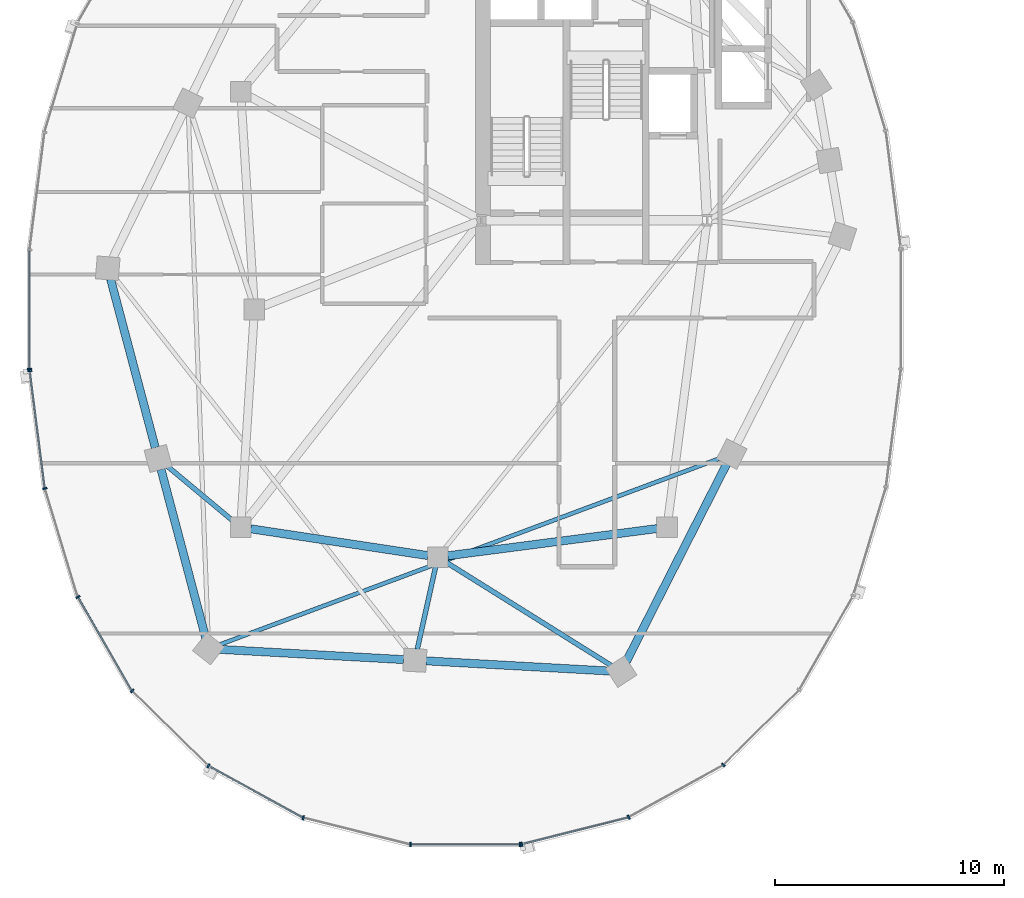
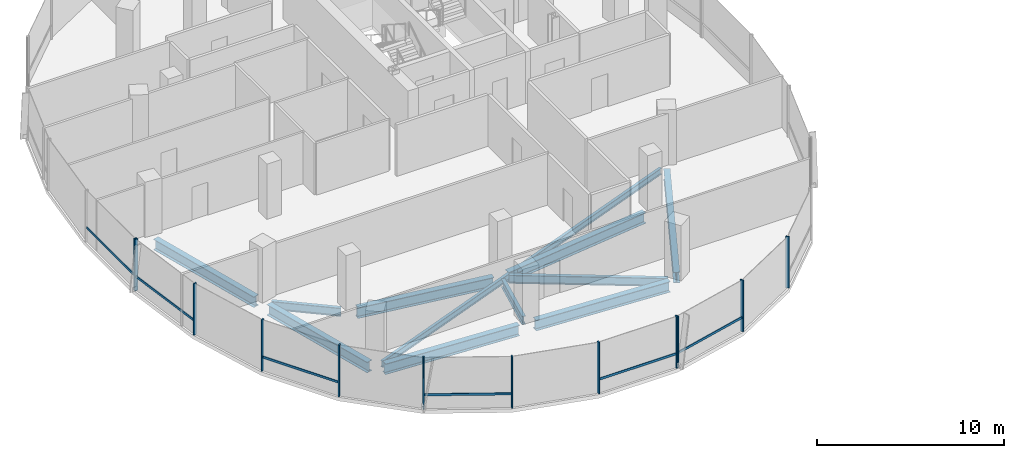
# One storey, part 2 of 23: 18 members, 11 beams, 3 elements without a shape of their own.
"""IFC4 building model written with IfcOpenShell, lengths in metres."""

from ifc_helpers import new_model, si_unit, direction, frame, origin, origin_2d, place, context, subcontext, project, spatial, rectangle, i_section, extrude, material, material_profile, profile_set, type_object, element, aggregate, save


model = new_model("IFC4")

# Units and contexts
model_context = context("Model", 3, precision=1e-05, world=origin(), true_north=direction((0.0, 1.0)))
body_context = subcontext(model_context, "Body", "Model", "MODEL_VIEW")
ifc_project = project(units=[si_unit("LENGTHUNIT", "METRE"), si_unit("AREAUNIT", "SQUARE_METRE"), si_unit("VOLUMEUNIT", "CUBIC_METRE"), si_unit("PLANEANGLEUNIT", "RADIAN"), si_unit("MASSUNIT", "GRAM", prefix="KILO"), si_unit("THERMODYNAMICTEMPERATUREUNIT", "KELVIN"), si_unit("POWERUNIT", "WATT")], contexts=[model_context])

# Site, building, storey
site_placement = place(None, origin())
site = spatial("IfcSite", under=ifc_project, at=site_placement, CompositionType="ELEMENT")
building_placement = place(site_placement, origin())
building = spatial("IfcBuilding", under=site, at=building_placement, Name="Cundina Bronze Exchange", CompositionType="ELEMENT")
storey_placement = place(building_placement, frame((0.0, 0.0, 172.800048828125)))
storey = spatial("IfcBuildingStorey", under=building, at=storey_placement, Name="L45", CompositionType="ELEMENT", Elevation=172.800048828125)

# Beams
ifc_material_1 = material(Name="Steel ASTM A992 Grade 50", Category="steel")
ifc_material_profile_1 = material_profile(ifc_material_1, i_section(OverallWidth=0.2119140625, OverallDepth=0.5439453125, WebThickness=0.01318359375, FlangeThickness=0.021240234375, FilletRadius=0.013916015625, at=origin_2d()), Name="W21X83", Category="steel")
ifc_profile_set_1 = profile_set([ifc_material_profile_1], Name="Steel ASTM A992 Grade 50")
beam_type_1 = type_object("IfcBeamType", Name="BM-FLR-W21A", PredefinedType="BEAM", material=ifc_profile_set_1)
beam_1_placement = place(storey_placement, frame((-42.136474609375, -9.219482421875, -0.511962890625), z_axis=(-0.768253211489, 0.640146079451, 0.0), x_axis=(-0.640146079451, -0.768253211489, 0.0)))
element("IfcBeam", 1, at=beam_1_placement, inside=storey, type_object=beam_type_1, Name="L45 Leg W Radial Floor Beam 09", PredefinedType="BEAM", context=body_context, shape_type="SweptSolid", body=[
    extrude(i_section(OverallWidth=0.2119140625, OverallDepth=0.5439453125, WebThickness=0.01318359375, FlangeThickness=0.021240234375, FilletRadius=0.013916015625, at=origin_2d()), origin(), (0.0, 0.0, 1.0), 3.760009765625),
])
beam_2_placement = place(storey_placement, frame((-33.294921875, -11.2275390625, -0.511962890625), z_axis=(-0.216923440287, -0.976188619609, 0.0), x_axis=(0.976188619609, -0.216923440287, 0.0)))
element("IfcBeam", 2, at=beam_2_placement, inside=storey, type_object=beam_type_1, Name="L45 Leg W Radial Floor Beam 11", PredefinedType="BEAM", context=body_context, shape_type="SweptSolid", body=[
    extrude(i_section(OverallWidth=0.2119140625, OverallDepth=0.5439453125, WebThickness=0.01318359375, FlangeThickness=0.021240234375, FilletRadius=0.013916015625, at=origin_2d()), origin(), (0.0, 0.0, 1.0), 3.68359375),
])
beam_3_placement = place(storey_placement, frame((-32.82861328125, -11.031982421875, -0.511962890625), z_axis=(0.847985407265, -0.530019574228, 0.0), x_axis=(0.530019574228, 0.847985407265, 0.0)))
element("IfcBeam", 3, at=beam_3_placement, inside=storey, type_object=beam_type_1, Name="L45 Leg W Radial Floor Beam 12", PredefinedType="BEAM", context=body_context, shape_type="SweptSolid", body=[
    extrude(i_section(OverallWidth=0.2119140625, OverallDepth=0.5439453125, WebThickness=0.01318359375, FlangeThickness=0.021240234375, FilletRadius=0.013916015625, at=origin_2d()), origin(), (0.0, 0.0, 1.0), 8.50830078125),
])
ifc_material_profile_2 = material_profile(ifc_material_1, i_section(OverallWidth=0.178955078125, OverallDepth=0.409912109375, WebThickness=0.0087890625, FlangeThickness=0.014404296875, FilletRadius=0.010986328125, at=origin_2d()), Name="W16X45", Category="steel")
ifc_profile_set_2 = profile_set([ifc_material_profile_2], Name="Steel ASTM A992 Grade 50")
beam_type_2 = type_object("IfcBeamType", Name="BM-JST-W16", PredefinedType="JOIST", material=ifc_profile_set_2)
beam_4_placement = place(storey_placement, frame((-42.74267578125, -14.629638671875, -0.445068359375), z_axis=(0.937127922351, 0.348986041483, 0.0), x_axis=(-0.348986041483, 0.937127922351, 0.0)))
element("IfcBeam", 4, at=beam_4_placement, inside=storey, type_object=beam_type_2, Name="L45 Leg W Lobe Floor Joist 10-13", PredefinedType="JOIST", context=body_context, shape_type="SweptSolid", body=[
    extrude(i_section(OverallWidth=0.178955078125, OverallDepth=0.409912109375, WebThickness=0.0087890625, FlangeThickness=0.014404296875, FilletRadius=0.010986328125, at=origin_2d()), origin(), (0.0, 0.0, 1.0), 23.38037109375),
])
ifc_material_profile_3 = material_profile(ifc_material_1, i_section(OverallWidth=0.35498046875, OverallDepth=0.695068359375, WebThickness=0.015380859375, FlangeThickness=0.02490234375, FilletRadius=0.01806640625, at=origin_2d()), Name="W27X146", Category="steel")
ifc_profile_set_3 = profile_set([ifc_material_profile_3], Name="Steel ASTM A992 Grade 50")
beam_type_3 = type_object("IfcBeamType", Name="BM-RING-W27", PredefinedType="USERDEFINED", material=ifc_profile_set_3)
beam_5_placement = place(storey_placement, frame((-41.366943359375, -9.5654296875, -0.587646484375), z_axis=(0.988764903598, -0.149478979839, 0.0), x_axis=(0.149478979839, 0.988764903598, 0.0)))
element("IfcBeam", 5, at=beam_5_placement, inside=storey, type_object=beam_type_3, Name="L45 W Inner Structural Ring Girder 05", ObjectType="GIRDER", PredefinedType="USERDEFINED", context=body_context, shape_type="SweptSolid", body=[
    extrude(i_section(OverallWidth=0.35498046875, OverallDepth=0.695068359375, WebThickness=0.015380859375, FlangeThickness=0.02490234375, FilletRadius=0.01806640625, at=origin_2d()), origin(), (0.0, 0.0, 1.0), 7.82177734375),
])
beam_6_placement = place(storey_placement, frame((-32.765625, -10.743408203125, -0.587646484375), z_axis=(0.991656498582, 0.128908451316, 0.0), x_axis=(-0.128908451316, 0.991656498582, 0.0)))
element("IfcBeam", 6, at=beam_6_placement, inside=storey, type_object=beam_type_3, Name="L45 W Inner Structural Ring Girder 06", ObjectType="GIRDER", PredefinedType="USERDEFINED", context=body_context, shape_type="SweptSolid", body=[
    extrude(i_section(OverallWidth=0.35498046875, OverallDepth=0.695068359375, WebThickness=0.015380859375, FlangeThickness=0.02490234375, FilletRadius=0.01806640625, at=origin_2d()), origin(), (0.0, 0.0, 1.0), 9.208251953125),
])
for number, where, z_axis, x_axis, name in (
    (7, (-47.47509765625, 1.328369140625, -0.587646484375), (0.256240814108, -0.966612975904, 0.0), (0.966612975904, 0.256240814108, 0.0), "L45 W Perimeter Ring Girder 08"),
    (8, (-45.27490234375, -6.9716796875, -0.587646484375), (0.256210841755, -0.96662092082, 0.0), (0.96662092082, 0.256210841755, 0.0), "L45 W Perimeter Ring Girder 09"),
):
    element("IfcBeam", number, at=place(storey_placement, frame(where, z_axis=z_axis, x_axis=x_axis)), inside=storey, type_object=beam_type_3, Name=name, ObjectType="GIRDER", PredefinedType="USERDEFINED", context=body_context, shape_type="SweptSolid", body=[
        extrude(i_section(OverallWidth=0.35498046875, OverallDepth=0.695068359375, WebThickness=0.015380859375, FlangeThickness=0.02490234375, FilletRadius=0.01806640625, at=origin_2d()), origin(), (0.0, 0.0, 1.0), 7.61083984375),
    ])
for number, where, z_axis, x_axis, name in (
    (9, (-42.712890625, -14.8271484375, -0.587646484375), (0.998460820451, -0.055461608559, 0.0), (0.055461608559, 0.998460820451, 0.0), "L45 W Perimeter Ring Girder 10"),
    (10, (-33.712890625, -15.3271484375, -0.587646484375), (0.998460820451, -0.055461608559, 0.0), (0.055461608559, 0.998460820451, 0.0), "L45 W Perimeter Ring Girder 11"),
):
    element("IfcBeam", number, at=place(storey_placement, frame(where, z_axis=z_axis, x_axis=x_axis)), inside=storey, type_object=beam_type_3, Name=name, ObjectType="GIRDER", PredefinedType="USERDEFINED", context=body_context, shape_type="SweptSolid", body=[
        extrude(i_section(OverallWidth=0.35498046875, OverallDepth=0.695068359375, WebThickness=0.015380859375, FlangeThickness=0.02490234375, FilletRadius=0.01806640625, at=origin_2d()), origin(), (0.0, 0.0, 1.0), 8.0380859375),
    ])
beam_7_placement = place(storey_placement, frame((-24.97900390625, -15.364990234375, -0.587646484375), z_axis=(0.452834585354, 0.891594548159, 0.0), x_axis=(-0.891594548159, 0.452834585354, 0.0)))
element("IfcBeam", 11, at=beam_7_placement, inside=storey, type_object=beam_type_3, Name="L45 W Perimeter Ring Girder 12", ObjectType="GIRDER", PredefinedType="USERDEFINED", context=body_context, shape_type="SweptSolid", body=[
    extrude(i_section(OverallWidth=0.35498046875, OverallDepth=0.695068359375, WebThickness=0.015380859375, FlangeThickness=0.02490234375, FilletRadius=0.01806640625, at=origin_2d()), origin(), (0.0, 0.0, 1.0), 9.67919921875),
])

# Curtain wall, member
ifc_material_2 = material(Name="Anodised Bronze Aluminium 6063-T6", Category="aluminium")
curtain_wall_type = type_object("IfcCurtainWallType", Name="CWS-WST-PIN", PredefinedType="NOTDEFINED", material=ifc_material_2)
curtain_wall_1_placement = place(storey_placement, origin())
curtain_wall_1 = element("IfcCurtainWall", 12, at=curtain_wall_1_placement, inside=storey, type_object=curtain_wall_type, Name="L45 CW-04 Curtain Wall Run CWR-L45-W2", PredefinedType="NOTDEFINED")
ifc_material_profile_4 = material_profile(ifc_material_2, rectangle(XDim=0.070068359375, YDim=0.18994140625, at=origin_2d()), Name="AL70X190", Category="aluminium")
ifc_profile_set_4 = profile_set([ifc_material_profile_4], Name="Anodised Bronze Aluminium 6063-T6")
member_type_1 = type_object("IfcMemberType", Name="CWM-MUL-190", PredefinedType="MULLION", material=ifc_profile_set_4)
member_1_placement = place(storey_placement, frame((-51.007080078125, -2.593017578125, 0.0), z_axis=(0.0, 0.0, 1.0), x_axis=(0.0, -1.0, 0.0)))
member_1 = element("IfcMember", 13, at=member_1_placement, type_object=member_type_1, Name="CW-04 End Mullion", PredefinedType="MULLION", context=body_context, shape_type="SweptSolid", body=[
    extrude(rectangle(XDim=0.070068359375, YDim=0.18994140625, at=origin_2d()), origin(), (0.0, 0.0, 1.0), 3.35986328125),
])

# Curtain wall, members
curtain_wall_2_placement = place(storey_placement, origin())
curtain_wall_2 = element("IfcCurtainWall", 14, at=curtain_wall_2_placement, inside=storey, type_object=curtain_wall_type, Name="L45 CW-04 Curtain Wall Run CWR-L45-W3", PredefinedType="NOTDEFINED")
member_2_placement = place(storey_placement, frame((-51.001708984375, -2.676025390625, 0.0), z_axis=(0.0, 0.0, 1.0), x_axis=(0.126545236492, -0.991960837494, 0.0)))
member_2 = element("IfcMember", 15, at=member_2_placement, type_object=member_type_1, Name="CW-04 Mullion 1", PredefinedType="MULLION", context=body_context, shape_type="SweptSolid", body=[
    extrude(rectangle(XDim=0.070068359375, YDim=0.18994140625, at=origin_2d()), origin(), (0.0, 0.0, 1.0), 3.35986328125),
])
member_3_placement = place(storey_placement, frame((-50.3408203125, -7.80859375, 0.0), z_axis=(0.0, 0.0, 1.0), x_axis=(0.290034140915, -0.957016299288, 0.0)))
member_3 = element("IfcMember", 16, at=member_3_placement, type_object=member_type_1, Name="CW-04 Mullion 2", PredefinedType="MULLION", context=body_context, shape_type="SweptSolid", body=[
    extrude(rectangle(XDim=0.070068359375, YDim=0.18994140625, at=origin_2d()), origin(), (0.0, 0.0, 1.0), 3.35986328125),
])
member_4_placement = place(storey_placement, frame((-48.89794921875, -12.541259765625, 0.0), z_axis=(0.0, 0.0, 1.0), x_axis=(0.498487739754, -0.866896748936, 0.0)))
member_4 = element("IfcMember", 17, at=member_4_placement, type_object=member_type_1, Name="CW-04 Mullion 3", PredefinedType="MULLION", context=body_context, shape_type="SweptSolid", body=[
    extrude(rectangle(XDim=0.070068359375, YDim=0.18994140625, at=origin_2d()), origin(), (0.0, 0.0, 1.0), 3.35986328125),
])
member_5_placement = place(storey_placement, frame((-46.530517578125, -16.640380859375, 0.0), z_axis=(0.0, 0.0, 1.0), x_axis=(0.712026045991, -0.702153052995, 0.0)))
member_5 = element("IfcMember", 18, at=member_5_placement, type_object=member_type_1, Name="CW-04 Mullion 4", PredefinedType="MULLION", context=body_context, shape_type="SweptSolid", body=[
    extrude(rectangle(XDim=0.070068359375, YDim=0.18994140625, at=origin_2d()), origin(), (0.0, 0.0, 1.0), 3.35986328125),
])
member_6_placement = place(storey_placement, frame((-43.20654296875, -19.906005859375, 0.0), z_axis=(0.0, 0.0, 1.0), x_axis=(0.875885937035, -0.482518212408, 0.0)))
member_6 = element("IfcMember", 19, at=member_6_placement, type_object=member_type_1, Name="CW-04 Mullion 5", PredefinedType="MULLION", context=body_context, shape_type="SweptSolid", body=[
    extrude(rectangle(XDim=0.070068359375, YDim=0.18994140625, at=origin_2d()), origin(), (0.0, 0.0, 1.0), 3.35986328125),
])
member_7_placement = place(storey_placement, frame((-39.067626953125, -22.17626953125, 0.0), z_axis=(0.0, 0.0, 1.0), x_axis=(0.970084240161, -0.242768546132, 0.0)))
member_7 = element("IfcMember", 20, at=member_7_placement, type_object=member_type_1, Name="CW-04 Mullion 6", PredefinedType="MULLION", context=body_context, shape_type="SweptSolid", body=[
    extrude(rectangle(XDim=0.070068359375, YDim=0.18994140625, at=origin_2d()), origin(), (0.0, 0.0, 1.0), 3.35986328125),
])
member_8_placement = place(storey_placement, frame((-34.39404296875, -23.3369140625, 0.0), z_axis=(0.0, 0.0, 1.0), x_axis=(1.0, 0.0, 0.0)))
member_8 = element("IfcMember", 21, at=member_8_placement, type_object=member_type_1, Name="CW-04 Mullion 7", PredefinedType="MULLION", context=body_context, shape_type="SweptSolid", body=[
    extrude(rectangle(XDim=0.070068359375, YDim=0.18994140625, at=origin_2d()), origin(), (0.0, 0.0, 1.0), 3.35986328125),
])
member_9_placement = place(storey_placement, frame((-29.60595703125, -23.3369140625, 0.0), z_axis=(0.0, 0.0, 1.0), x_axis=(1.0, 0.0, 0.0)))
member_9 = element("IfcMember", 22, at=member_9_placement, type_object=member_type_1, Name="CW-04 End Mullion", PredefinedType="MULLION", context=body_context, shape_type="SweptSolid", body=[
    extrude(rectangle(XDim=0.070068359375, YDim=0.18994140625, at=origin_2d()), origin(), (0.0, 0.0, 1.0), 3.35986328125),
])

curtain_wall_3_placement = place(storey_placement, origin())
curtain_wall_3 = element("IfcCurtainWall", 23, at=curtain_wall_3_placement, inside=storey, type_object=curtain_wall_type, Name="L45 CW-04 Curtain Wall Run CWR-L45-W4", PredefinedType="NOTDEFINED")
member_10_placement = place(storey_placement, frame((-29.537353515625, -23.32861328125, 0.0), z_axis=(0.0, 0.0, 1.0), x_axis=(0.970084240161, 0.242768546132, 0.0)))
member_10 = element("IfcMember", 24, at=member_10_placement, type_object=member_type_1, Name="CW-04 Mullion 1", PredefinedType="MULLION", context=body_context, shape_type="SweptSolid", body=[
    extrude(rectangle(XDim=0.070068359375, YDim=0.18994140625, at=origin_2d()), origin(), (0.0, 0.0, 1.0), 3.35986328125),
])
member_11_placement = place(storey_placement, frame((-24.86962890625, -22.151611328125, 0.0), z_axis=(0.0, 0.0, 1.0), x_axis=(0.875885937035, 0.482518212408, 0.0)))
member_11 = element("IfcMember", 25, at=member_11_placement, type_object=member_type_1, Name="CW-04 Mullion 2", PredefinedType="MULLION", context=body_context, shape_type="SweptSolid", body=[
    extrude(rectangle(XDim=0.070068359375, YDim=0.18994140625, at=origin_2d()), origin(), (0.0, 0.0, 1.0), 3.35986328125),
])
member_12_placement = place(storey_placement, frame((-20.740966796875, -19.86669921875, 0.0), z_axis=(0.0, 0.0, 1.0), x_axis=(0.712026045991, 0.702153052995, 0.0)))
member_12 = element("IfcMember", 26, at=member_12_placement, type_object=member_type_1, Name="CW-04 Mullion 3", PredefinedType="MULLION", context=body_context, shape_type="SweptSolid", body=[
    extrude(rectangle(XDim=0.070068359375, YDim=0.18994140625, at=origin_2d()), origin(), (0.0, 0.0, 1.0), 3.35986328125),
])

# Member
ifc_material_profile_5 = material_profile(ifc_material_2, rectangle(XDim=0.06494140625, YDim=0.14990234375, at=origin_2d()), Name="AL65X150", Category="aluminium")
ifc_profile_set_5 = profile_set([ifc_material_profile_5], Name="Anodised Bronze Aluminium 6063-T6")
member_type_2 = type_object("IfcMemberType", Name="CWM-TRN-150", PredefinedType="USERDEFINED", material=ifc_profile_set_5)
member_13_placement = place(storey_placement, frame((-51.007080078125, 2.554443359375, 0.919921875), z_axis=(0.0, -1.0, 0.0), x_axis=(1.0, 0.0, 0.0)))
member_13 = element("IfcMember", 27, at=member_13_placement, type_object=member_type_2, Name="CW-04 Spandrel Transom 7", ObjectType="TRANSOM", PredefinedType="USERDEFINED", context=body_context, shape_type="SweptSolid", body=[
    extrude(rectangle(XDim=0.06494140625, YDim=0.14990234375, at=origin_2d()), origin(), (0.0, 0.0, 1.0), 5.10888671875),
])

aggregate(curtain_wall_1, [member_1, member_13])

member_14_placement = place(storey_placement, frame((-50.996826171875, -2.71435546875, 0.919921875), z_axis=(0.12646340362, -0.991971273548, 0.0), x_axis=(0.991971273548, 0.12646340362, 0.0)))
member_14 = element("IfcMember", 28, at=member_14_placement, type_object=member_type_2, Name="CW-04 Spandrel Transom 1", ObjectType="TRANSOM", PredefinedType="USERDEFINED", context=body_context, shape_type="SweptSolid", body=[
    extrude(rectangle(XDim=0.06494140625, YDim=0.14990234375, at=origin_2d()), origin(), (0.0, 0.0, 1.0), 5.0966796875),
])

member_15_placement = place(storey_placement, frame((-48.878662109375, -12.574462890625, 0.919921875), z_axis=(0.498479967047, -0.866901218394, 0.0), x_axis=(0.866901218394, 0.498479967047, 0.0)))
member_15 = element("IfcMember", 29, at=member_15_placement, type_object=member_type_2, Name="CW-04 Spandrel Transom 3", ObjectType="TRANSOM", PredefinedType="USERDEFINED", context=body_context, shape_type="SweptSolid", body=[
    extrude(rectangle(XDim=0.06494140625, YDim=0.14990234375, at=origin_2d()), origin(), (0.0, 0.0, 1.0), 4.66845703125),
])

member_16_placement = place(storey_placement, frame((-43.1728515625, -19.924560546875, 0.919921875), z_axis=(0.875878981549, -0.482530838062, 0.0), x_axis=(0.482530838062, 0.875878981549, 0.0)))
member_16 = element("IfcMember", 30, at=member_16_placement, type_object=member_type_2, Name="CW-04 Spandrel Transom 5", ObjectType="TRANSOM", PredefinedType="USERDEFINED", context=body_context, shape_type="SweptSolid", body=[
    extrude(rectangle(XDim=0.06494140625, YDim=0.14990234375, at=origin_2d()), origin(), (0.0, 0.0, 1.0), 4.65380859375),
])

member_17_placement = place(storey_placement, frame((-34.35546875, -23.3369140625, 0.919921875), z_axis=(1.0, 0.0, 0.0), x_axis=(0.0, 1.0, 0.0)))
member_17 = element("IfcMember", 31, at=member_17_placement, type_object=member_type_2, Name="CW-04 Spandrel Transom 7", ObjectType="TRANSOM", PredefinedType="USERDEFINED", context=body_context, shape_type="SweptSolid", body=[
    extrude(rectangle(XDim=0.06494140625, YDim=0.14990234375, at=origin_2d()), origin(), (0.0, 0.0, 1.0), 4.7109375),
])

aggregate(curtain_wall_2, [member_2, member_14, member_3, member_4, member_15, member_5, member_6, member_16, member_7, member_8, member_9, member_17])

member_18_placement = place(storey_placement, frame((-29.5, -23.319091796875, 0.919921875), z_axis=(0.970100130035, 0.242705042606, 0.0), x_axis=(-0.242705042606, 0.970100130035, 0.0)))
member_18 = element("IfcMember", 32, at=member_18_placement, type_object=member_type_2, Name="CW-04 Spandrel Transom 1", ObjectType="TRANSOM", PredefinedType="USERDEFINED", context=body_context, shape_type="SweptSolid", body=[
    extrude(rectangle(XDim=0.06494140625, YDim=0.14990234375, at=origin_2d()), origin(), (0.0, 0.0, 1.0), 4.746826171875),
])

aggregate(curtain_wall_3, [member_10, member_18, member_11, member_12])

save(model, "model.ifc")
